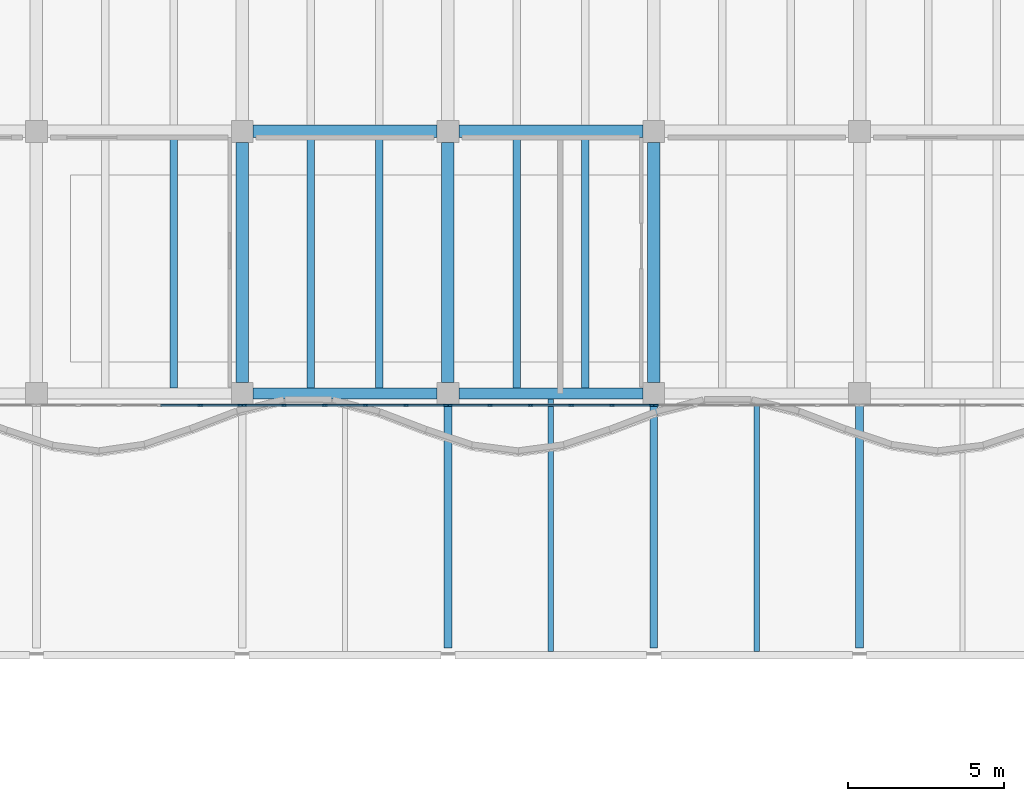
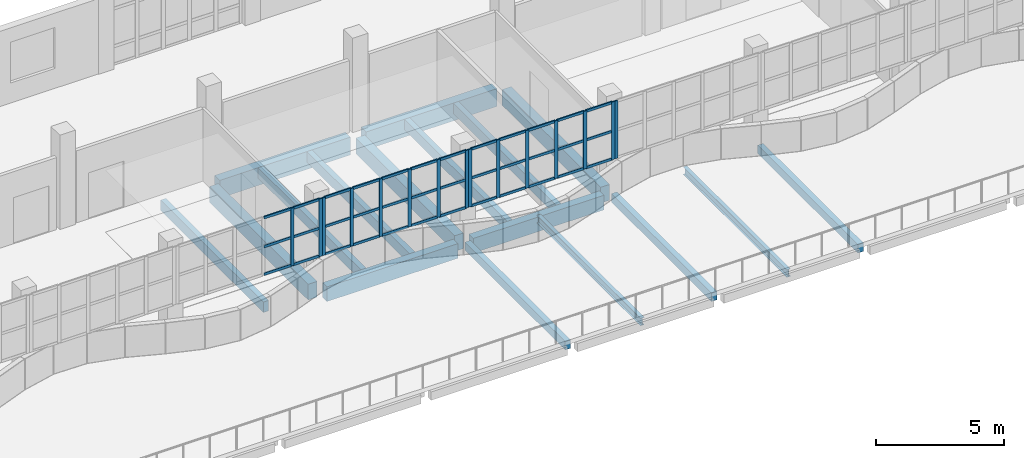
# One storey, part 13 of 83: 51 members, 17 beams, 4 elements without a shape of their own.
"""IFC4 building model written with IfcOpenShell, lengths in metres."""

from ifc_helpers import new_model, si_unit, direction, frame, origin, origin_2d, place, context, subcontext, project, spatial, rectangle, i_section, extrude, material, material_profile, profile_set, type_object, element, aggregate, save


model = new_model("IFC4")

# Units and contexts
model_context = context("Model", 3, precision=1e-05, world=origin(), true_north=direction((0.0, 1.0)))
body_context = subcontext(model_context, "Body", "Model", "MODEL_VIEW")
ifc_project = project(units=[si_unit("LENGTHUNIT", "METRE"), si_unit("AREAUNIT", "SQUARE_METRE"), si_unit("VOLUMEUNIT", "CUBIC_METRE"), si_unit("PLANEANGLEUNIT", "RADIAN"), si_unit("MASSUNIT", "GRAM", prefix="KILO")], contexts=[model_context])

# Site, building, storey
site_placement = place(None, origin())
site = spatial("IfcSite", under=ifc_project, at=site_placement, CompositionType="ELEMENT")
building_placement = place(site_placement, origin())
building = spatial("IfcBuilding", under=site, at=building_placement, Name="Qaldarim Faculty of Natural and Applied Sciences", CompositionType="ELEMENT")
storey_placement = place(building_placement, frame((0.0, 0.0, 5.39990234375)))
storey = spatial("IfcBuildingStorey", under=building, at=storey_placement, Name="L01", CompositionType="ELEMENT", Elevation=5.39990234375)

# Beams
ifc_material_1 = material(Name="Concrete C40/50", Category="concrete")
ifc_material_profile_1 = material_profile(ifc_material_1, rectangle(XDim=0.25, YDim=0.39990234375, at=origin_2d()), Name="RC-LN250x400")
ifc_profile_set_1 = profile_set([ifc_material_profile_1], Name="Concrete C40/50")
beam_type_1 = type_object("IfcBeamType", Name="ArcadeLintel-RC250x400", PredefinedType="LINTEL", material=ifc_profile_set_1)
for number, where, z_axis, x_axis, name in (
    (1, (72.60009765625, 92.625, -0.39990234375), (0.0, 1.0, 0.0), (-1.0, 0.0, 0.0), "Beam RC-LN250x400 L00 X12/Y12-Y13"),
    (2, (79.199951171875, 92.625, -0.39990234375), (0.0, 1.0, 0.0), (-1.0, 0.0, 0.0), "Beam RC-LN250x400 L00 X13/Y12-Y13"),
    (3, (85.800048828125, 92.625, -0.39990234375), (0.0, 1.0, 0.0), (-1.0, 0.0, 0.0), "Beam RC-LN250x400 L00 X14/Y12-Y13"),
):
    element("IfcBeam", number, at=place(storey_placement, frame(where, z_axis=z_axis, x_axis=x_axis)), inside=storey, type_object=beam_type_1, Name=name, PredefinedType="LINTEL", context=body_context, shape_type="SweptSolid", body=[
        extrude(rectangle(XDim=0.25, YDim=0.39990234375, at=origin_2d()), origin(), (0.0, 0.0, 1.0), 7.824951171875),
    ])
ifc_material_2 = material(Name="Structural steel S355", Category="steel")
ifc_material_profile_2 = material_profile(ifc_material_2, i_section(OverallWidth=0.169921875, OverallDepth=0.360107421875, WebThickness=0.008056640625, FlangeThickness=0.0126953125, at=origin_2d()), Name="IPE 360")
ifc_profile_set_2 = profile_set([ifc_material_profile_2], Name="Structural steel S355")
beam_type_2 = type_object("IfcBeamType", Name="CanopyBeam-IPE360", PredefinedType="BEAM", material=ifc_profile_set_2)
for number, where, z_axis, x_axis, name in (
    (4, (75.89990234375, 92.52490234375, -0.3798828125), (0.0, 1.0, 0.0), (-1.0, 0.0, 0.0), "Canopy steel beam IPE 360 bay X12"),
    (5, (82.5, 92.52490234375, -0.3798828125), (0.0, 1.0, 0.0), (-1.0, 0.0, 0.0), "Canopy steel beam IPE 360 bay X13"),
):
    element("IfcBeam", number, at=place(storey_placement, frame(where, z_axis=z_axis, x_axis=x_axis)), inside=storey, type_object=beam_type_2, Name=name, PredefinedType="BEAM", context=body_context, shape_type="SweptSolid", body=[
        extrude(i_section(OverallWidth=0.169921875, OverallDepth=0.360107421875, WebThickness=0.008056640625, FlangeThickness=0.0126953125, at=origin_2d()), origin(), (0.0, 0.0, 1.0), 8.10009765625),
    ])
ifc_material_profile_3 = material_profile(ifc_material_1, rectangle(XDim=0.239990234375, YDim=0.5, at=origin_2d()), Name="RC-J240x500")
ifc_profile_set_3 = profile_set([ifc_material_profile_3], Name="Concrete C40/50")
beam_type_3 = type_object("IfcBeamType", Name="HeavyJoist-RC240x500", PredefinedType="JOIST", material=ifc_profile_set_3)
for number, where, z_axis, x_axis, name in (
    (6, (63.800048828125, 100.97509765625, -0.5498046875), (0.0, 1.0, 0.0), (-1.0, 0.0, 0.0), "Laboratory joist L00 bay X10Y13-2"),
    (7, (68.199951171875, 100.97509765625, -0.5498046875), (0.0, 1.0, 0.0), (-1.0, 0.0, 0.0), "Laboratory joist L00 bay X11Y13-1"),
    (8, (70.39990234375, 100.97509765625, -0.5498046875), (0.0, 1.0, 0.0), (-1.0, 0.0, 0.0), "Laboratory joist L00 bay X11Y13-2"),
    (9, (74.800048828125, 100.97509765625, -0.5498046875), (0.0, 1.0, 0.0), (-1.0, 0.0, 0.0), "Laboratory joist L00 bay X12Y13-1"),
    (10, (77.0, 100.97509765625, -0.5498046875), (0.0, 1.0, 0.0), (-1.0, 0.0, 0.0), "Laboratory joist L00 bay X12Y13-2"),
):
    element("IfcBeam", number, at=place(storey_placement, frame(where, z_axis=z_axis, x_axis=x_axis)), inside=storey, type_object=beam_type_3, Name=name, PredefinedType="JOIST", context=body_context, shape_type="SweptSolid", body=[
        extrude(rectangle(XDim=0.239990234375, YDim=0.5, at=origin_2d()), origin(), (0.0, 0.0, 1.0), 8.02490234375),
    ])
ifc_material_3 = material(Name="Concrete C50/60", Category="concrete")
ifc_material_profile_4 = material_profile(ifc_material_3, rectangle(XDim=0.39990234375, YDim=0.75, at=origin_2d()), Name="RC-B400x750")
ifc_profile_set_4 = profile_set([ifc_material_profile_4], Name="Concrete C50/60")
beam_type_4 = type_object("IfcBeamType", Name="LabGirder-RC400x750", PredefinedType="BEAM", material=ifc_profile_set_4)
for number, where, z_axis, x_axis, name in (
    (11, (66.0, 101.14990234375, -0.6748046875), (0.0, 1.0, 0.0), (-1.0, 0.0, 0.0), "Beam RC-B400x750 L00 X11/Y13-Y14"),
    (12, (72.60009765625, 101.14990234375, -0.6748046875), (0.0, 1.0, 0.0), (-1.0, 0.0, 0.0), "Beam RC-B400x750 L00 X12/Y13-Y14"),
    (13, (79.199951171875, 101.14990234375, -0.6748046875), (0.0, 1.0, 0.0), (-1.0, 0.0, 0.0), "Beam RC-B400x750 L00 X13/Y13-Y14"),
):
    element("IfcBeam", number, at=place(storey_placement, frame(where, z_axis=z_axis, x_axis=x_axis)), inside=storey, type_object=beam_type_4, Name=name, PredefinedType="BEAM", context=body_context, shape_type="SweptSolid", body=[
        extrude(rectangle(XDim=0.39990234375, YDim=0.75, at=origin_2d()), origin(), (0.0, 0.0, 1.0), 7.7001953125),
    ])

# Curtain wall, members
ifc_material_4 = material(Name="Anodised aluminium AW-6063", Category="aluminium")
curtain_wall_type = type_object("IfcCurtainWallType", Name="CurtainWallSystem-M1400", PredefinedType="USERDEFINED", material=ifc_material_4)
curtain_wall_1_placement = place(storey_placement, origin())
curtain_wall_1 = element("IfcCurtainWall", 14, at=curtain_wall_1_placement, inside=storey, type_object=curtain_wall_type, Name="Curtain wall CW-V4RIB-L01-X10", ObjectType="STICK CURTAIN WALL", PredefinedType="USERDEFINED")
ifc_material_profile_5 = material_profile(ifc_material_4, rectangle(XDim=0.06005859375, YDim=0.14990234375, at=origin_2d()), Name="ALU-M60x150")
ifc_profile_set_5 = profile_set([ifc_material_profile_5], Name="Anodised aluminium AW-6063")
member_type_1 = type_object("IfcMemberType", Name="Mullion-ALU60x150", PredefinedType="MULLION", material=ifc_profile_set_5)
member_1_placement = place(storey_placement, frame((64.656005859375, 100.419921875, 1.4501953125), z_axis=(0.0, 0.0, 1.0), x_axis=(0.0, 1.0, 0.0)))
member_1 = element("IfcMember", 15, at=member_1_placement, type_object=member_type_1, Name="Mullion 5 of CW-V4RIB-L01-X10", PredefinedType="MULLION", context=body_context, shape_type="SweptSolid", body=[
    extrude(rectangle(XDim=0.06005859375, YDim=0.14990234375, at=origin_2d()), origin(), (0.0, 0.0, 1.0), 2.75),
])
member_2_placement = place(storey_placement, frame((65.929931640625, 100.419921875, 1.4501953125), z_axis=(0.0, 0.0, 1.0), x_axis=(0.0, 1.0, 0.0)))
member_2 = element("IfcMember", 16, at=member_2_placement, type_object=member_type_1, Name="Mullion 6 of CW-V4RIB-L01-X10", PredefinedType="MULLION", context=body_context, shape_type="SweptSolid", body=[
    extrude(rectangle(XDim=0.06005859375, YDim=0.14990234375, at=origin_2d()), origin(), (0.0, 0.0, 1.0), 2.75),
])

curtain_wall_2_placement = place(storey_placement, origin())
curtain_wall_2 = element("IfcCurtainWall", 17, at=curtain_wall_2_placement, inside=storey, type_object=curtain_wall_type, Name="Curtain wall CW-V4RIB-L01-X11", ObjectType="STICK CURTAIN WALL", PredefinedType="USERDEFINED")
member_3_placement = place(storey_placement, frame((66.070068359375, 100.419921875, 1.4501953125), z_axis=(0.0, 0.0, 1.0), x_axis=(0.0, 1.0, 0.0)))
member_3 = element("IfcMember", 18, at=member_3_placement, type_object=member_type_1, Name="Mullion 1 of CW-V4RIB-L01-X11", PredefinedType="MULLION", context=body_context, shape_type="SweptSolid", body=[
    extrude(rectangle(XDim=0.06005859375, YDim=0.14990234375, at=origin_2d()), origin(), (0.0, 0.0, 1.0), 2.75),
])
member_4_placement = place(storey_placement, frame((67.343994140625, 100.419921875, 1.4501953125), z_axis=(0.0, 0.0, 1.0), x_axis=(0.0, 1.0, 0.0)))
member_4 = element("IfcMember", 19, at=member_4_placement, type_object=member_type_1, Name="Mullion 2 of CW-V4RIB-L01-X11", PredefinedType="MULLION", context=body_context, shape_type="SweptSolid", body=[
    extrude(rectangle(XDim=0.06005859375, YDim=0.14990234375, at=origin_2d()), origin(), (0.0, 0.0, 1.0), 2.75),
])
member_5_placement = place(storey_placement, frame((68.64794921875, 100.419921875, 1.4501953125), z_axis=(0.0, 0.0, 1.0), x_axis=(0.0, 1.0, 0.0)))
member_5 = element("IfcMember", 20, at=member_5_placement, type_object=member_type_1, Name="Mullion 3 of CW-V4RIB-L01-X11", PredefinedType="MULLION", context=body_context, shape_type="SweptSolid", body=[
    extrude(rectangle(XDim=0.06005859375, YDim=0.14990234375, at=origin_2d()), origin(), (0.0, 0.0, 1.0), 2.75),
])
member_6_placement = place(storey_placement, frame((69.951904296875, 100.419921875, 1.4501953125), z_axis=(0.0, 0.0, 1.0), x_axis=(0.0, 1.0, 0.0)))
member_6 = element("IfcMember", 21, at=member_6_placement, type_object=member_type_1, Name="Mullion 4 of CW-V4RIB-L01-X11", PredefinedType="MULLION", context=body_context, shape_type="SweptSolid", body=[
    extrude(rectangle(XDim=0.06005859375, YDim=0.14990234375, at=origin_2d()), origin(), (0.0, 0.0, 1.0), 2.75),
])
member_7_placement = place(storey_placement, frame((71.256103515625, 100.419921875, 1.4501953125), z_axis=(0.0, 0.0, 1.0), x_axis=(0.0, 1.0, 0.0)))
member_7 = element("IfcMember", 22, at=member_7_placement, type_object=member_type_1, Name="Mullion 5 of CW-V4RIB-L01-X11", PredefinedType="MULLION", context=body_context, shape_type="SweptSolid", body=[
    extrude(rectangle(XDim=0.06005859375, YDim=0.14990234375, at=origin_2d()), origin(), (0.0, 0.0, 1.0), 2.75),
])
member_8_placement = place(storey_placement, frame((72.530029296875, 100.419921875, 1.4501953125), z_axis=(0.0, 0.0, 1.0), x_axis=(0.0, 1.0, 0.0)))
member_8 = element("IfcMember", 23, at=member_8_placement, type_object=member_type_1, Name="Mullion 6 of CW-V4RIB-L01-X11", PredefinedType="MULLION", context=body_context, shape_type="SweptSolid", body=[
    extrude(rectangle(XDim=0.06005859375, YDim=0.14990234375, at=origin_2d()), origin(), (0.0, 0.0, 1.0), 2.75),
])

curtain_wall_3_placement = place(storey_placement, origin())
curtain_wall_3 = element("IfcCurtainWall", 24, at=curtain_wall_3_placement, inside=storey, type_object=curtain_wall_type, Name="Curtain wall CW-V4RIB-L01-X12", ObjectType="STICK CURTAIN WALL", PredefinedType="USERDEFINED")
member_9_placement = place(storey_placement, frame((72.669921875, 100.419921875, 1.4501953125), z_axis=(0.0, 0.0, 1.0), x_axis=(0.0, 1.0, 0.0)))
member_9 = element("IfcMember", 25, at=member_9_placement, type_object=member_type_1, Name="Mullion 1 of CW-V4RIB-L01-X12", PredefinedType="MULLION", context=body_context, shape_type="SweptSolid", body=[
    extrude(rectangle(XDim=0.06005859375, YDim=0.14990234375, at=origin_2d()), origin(), (0.0, 0.0, 1.0), 2.75),
])
member_10_placement = place(storey_placement, frame((73.944091796875, 100.419921875, 1.4501953125), z_axis=(0.0, 0.0, 1.0), x_axis=(0.0, 1.0, 0.0)))
member_10 = element("IfcMember", 26, at=member_10_placement, type_object=member_type_1, Name="Mullion 2 of CW-V4RIB-L01-X12", PredefinedType="MULLION", context=body_context, shape_type="SweptSolid", body=[
    extrude(rectangle(XDim=0.06005859375, YDim=0.14990234375, at=origin_2d()), origin(), (0.0, 0.0, 1.0), 2.75),
])
member_11_placement = place(storey_placement, frame((75.248046875, 100.419921875, 1.4501953125), z_axis=(0.0, 0.0, 1.0), x_axis=(0.0, 1.0, 0.0)))
member_11 = element("IfcMember", 27, at=member_11_placement, type_object=member_type_1, Name="Mullion 3 of CW-V4RIB-L01-X12", PredefinedType="MULLION", context=body_context, shape_type="SweptSolid", body=[
    extrude(rectangle(XDim=0.06005859375, YDim=0.14990234375, at=origin_2d()), origin(), (0.0, 0.0, 1.0), 2.75),
])
member_12_placement = place(storey_placement, frame((76.552001953125, 100.419921875, 1.4501953125), z_axis=(0.0, 0.0, 1.0), x_axis=(0.0, 1.0, 0.0)))
member_12 = element("IfcMember", 28, at=member_12_placement, type_object=member_type_1, Name="Mullion 4 of CW-V4RIB-L01-X12", PredefinedType="MULLION", context=body_context, shape_type="SweptSolid", body=[
    extrude(rectangle(XDim=0.06005859375, YDim=0.14990234375, at=origin_2d()), origin(), (0.0, 0.0, 1.0), 2.75),
])
member_13_placement = place(storey_placement, frame((77.85595703125, 100.419921875, 1.4501953125), z_axis=(0.0, 0.0, 1.0), x_axis=(0.0, 1.0, 0.0)))
member_13 = element("IfcMember", 29, at=member_13_placement, type_object=member_type_1, Name="Mullion 5 of CW-V4RIB-L01-X12", PredefinedType="MULLION", context=body_context, shape_type="SweptSolid", body=[
    extrude(rectangle(XDim=0.06005859375, YDim=0.14990234375, at=origin_2d()), origin(), (0.0, 0.0, 1.0), 2.75),
])
member_14_placement = place(storey_placement, frame((79.1298828125, 100.419921875, 1.4501953125), z_axis=(0.0, 0.0, 1.0), x_axis=(0.0, 1.0, 0.0)))
member_14 = element("IfcMember", 30, at=member_14_placement, type_object=member_type_1, Name="Mullion 6 of CW-V4RIB-L01-X12", PredefinedType="MULLION", context=body_context, shape_type="SweptSolid", body=[
    extrude(rectangle(XDim=0.06005859375, YDim=0.14990234375, at=origin_2d()), origin(), (0.0, 0.0, 1.0), 2.75),
])

# Curtain wall, member
curtain_wall_4_placement = place(storey_placement, origin())
curtain_wall_4 = element("IfcCurtainWall", 31, at=curtain_wall_4_placement, inside=storey, type_object=curtain_wall_type, Name="Curtain wall CW-V4RIB-L01-X13", ObjectType="STICK CURTAIN WALL", PredefinedType="USERDEFINED")
member_15_placement = place(storey_placement, frame((79.27001953125, 100.419921875, 1.4501953125), z_axis=(0.0, 0.0, 1.0), x_axis=(0.0, 1.0, 0.0)))
member_15 = element("IfcMember", 32, at=member_15_placement, type_object=member_type_1, Name="Mullion 1 of CW-V4RIB-L01-X13", PredefinedType="MULLION", context=body_context, shape_type="SweptSolid", body=[
    extrude(rectangle(XDim=0.06005859375, YDim=0.14990234375, at=origin_2d()), origin(), (0.0, 0.0, 1.0), 2.75),
])
aggregate(curtain_wall_4, [member_15])

# Beams
ifc_material_profile_6 = material_profile(ifc_material_3, rectangle(XDim=0.39990234375, YDim=0.85009765625, at=origin_2d()), Name="RC-B400x850")
ifc_profile_set_6 = profile_set([ifc_material_profile_6], Name="Concrete C50/60")
beam_type_5 = type_object("IfcBeamType", Name="PodiumGirder-RC400x850", PredefinedType="BEAM", material=ifc_profile_set_6)
beam_1_placement = place(storey_placement, frame((66.35009765625, 109.199951171875, -0.724853515625), z_axis=(1.0, 0.0, 0.0), x_axis=(0.0, 1.0, 0.0)))
element("IfcBeam", 33, at=beam_1_placement, inside=storey, type_object=beam_type_5, Name="Beam RC-B400x850 L00 X11-X12/Y14", PredefinedType="BEAM", context=body_context, shape_type="SweptSolid", body=[
    extrude(rectangle(XDim=0.39990234375, YDim=0.85009765625, at=origin_2d()), origin(), (0.0, 0.0, 1.0), 5.89990234375),
])
beam_2_placement = place(storey_placement, frame((72.949951171875, 109.199951171875, -0.724853515625), z_axis=(1.0, 0.0, 0.0), x_axis=(0.0, 1.0, 0.0)))
element("IfcBeam", 34, at=beam_2_placement, inside=storey, type_object=beam_type_5, Name="Beam RC-B400x850 L00 X12-X13/Y14", PredefinedType="BEAM", context=body_context, shape_type="SweptSolid", body=[
    extrude(rectangle(XDim=0.39990234375, YDim=0.85009765625, at=origin_2d()), origin(), (0.0, 0.0, 1.0), 5.900146484375),
])
ifc_material_profile_7 = material_profile(ifc_material_1, rectangle(XDim=0.35009765625, YDim=0.699951171875, at=origin_2d()), Name="RC-B350x700")
ifc_profile_set_7 = profile_set([ifc_material_profile_7], Name="Concrete C40/50")
beam_type_6 = type_object("IfcBeamType", Name="PrimaryGirder-RC350x700", PredefinedType="BEAM", material=ifc_profile_set_7)
beam_3_placement = place(storey_placement, frame((66.35009765625, 100.800048828125, -0.64990234375), z_axis=(1.0, 0.0, 0.0), x_axis=(0.0, 1.0, 0.0)))
element("IfcBeam", 35, at=beam_3_placement, inside=storey, type_object=beam_type_6, Name="Beam RC-B350x700 L00 X11-X12/Y13", PredefinedType="BEAM", context=body_context, shape_type="SweptSolid", body=[
    extrude(rectangle(XDim=0.35009765625, YDim=0.699951171875, at=origin_2d()), origin(), (0.0, 0.0, 1.0), 5.89990234375),
])
beam_4_placement = place(storey_placement, frame((72.949951171875, 100.800048828125, -0.64990234375), z_axis=(1.0, 0.0, 0.0), x_axis=(0.0, 1.0, 0.0)))
element("IfcBeam", 36, at=beam_4_placement, inside=storey, type_object=beam_type_6, Name="Beam RC-B350x700 L00 X12-X13/Y13", PredefinedType="BEAM", context=body_context, shape_type="SweptSolid", body=[
    extrude(rectangle(XDim=0.35009765625, YDim=0.699951171875, at=origin_2d()), origin(), (0.0, 0.0, 1.0), 5.900146484375),
])

# Member
ifc_material_profile_8 = material_profile(ifc_material_4, rectangle(XDim=0.06005859375, YDim=0.1201171875, at=origin_2d()), Name="ALU-T60x120")
ifc_profile_set_8 = profile_set([ifc_material_profile_8], Name="Anodised aluminium AW-6063")
member_type_2 = type_object("IfcMemberType", Name="Transom-ALU60x120", PredefinedType="USERDEFINED", material=ifc_profile_set_8)
member_16_placement = place(storey_placement, frame((63.382080078125, 100.419921875, 1.47998046875), z_axis=(1.0, 0.0, 0.0), x_axis=(0.0, 1.0, 0.0)))
member_16 = element("IfcMember", 37, at=member_16_placement, type_object=member_type_2, Name="Transom 4-1 of CW-V4RIB-L01-X10", ObjectType="TRANSOM", PredefinedType="USERDEFINED", context=body_context, shape_type="SweptSolid", body=[
    extrude(rectangle(XDim=0.06005859375, YDim=0.1201171875, at=origin_2d()), origin(), (0.0, 0.0, 1.0), 1.243896484375),
])

member_17_placement = place(storey_placement, frame((63.382080078125, 100.419921875, 2.800048828125), z_axis=(1.0, 0.0, 0.0), x_axis=(0.0, 1.0, 0.0)))
member_17 = element("IfcMember", 38, at=member_17_placement, type_object=member_type_2, Name="Transom 4-2 of CW-V4RIB-L01-X10", ObjectType="TRANSOM", PredefinedType="USERDEFINED", context=body_context, shape_type="SweptSolid", body=[
    extrude(rectangle(XDim=0.06005859375, YDim=0.1201171875, at=origin_2d()), origin(), (0.0, 0.0, 1.0), 1.243896484375),
])

member_18_placement = place(storey_placement, frame((63.382080078125, 100.419921875, 4.170166015625), z_axis=(1.0, 0.0, 0.0), x_axis=(0.0, 1.0, 0.0)))
member_18 = element("IfcMember", 39, at=member_18_placement, type_object=member_type_2, Name="Transom 4-3 of CW-V4RIB-L01-X10", ObjectType="TRANSOM", PredefinedType="USERDEFINED", context=body_context, shape_type="SweptSolid", body=[
    extrude(rectangle(XDim=0.06005859375, YDim=0.1201171875, at=origin_2d()), origin(), (0.0, 0.0, 1.0), 1.243896484375),
])

member_19_placement = place(storey_placement, frame((64.68603515625, 100.419921875, 1.47998046875), z_axis=(1.0, 0.0, 0.0), x_axis=(0.0, 1.0, 0.0)))
member_19 = element("IfcMember", 40, at=member_19_placement, type_object=member_type_2, Name="Transom 5-1 of CW-V4RIB-L01-X10", ObjectType="TRANSOM", PredefinedType="USERDEFINED", context=body_context, shape_type="SweptSolid", body=[
    extrude(rectangle(XDim=0.06005859375, YDim=0.1201171875, at=origin_2d()), origin(), (0.0, 0.0, 1.0), 1.2138671875),
])

member_20_placement = place(storey_placement, frame((64.68603515625, 100.419921875, 2.800048828125), z_axis=(1.0, 0.0, 0.0), x_axis=(0.0, 1.0, 0.0)))
member_20 = element("IfcMember", 41, at=member_20_placement, type_object=member_type_2, Name="Transom 5-2 of CW-V4RIB-L01-X10", ObjectType="TRANSOM", PredefinedType="USERDEFINED", context=body_context, shape_type="SweptSolid", body=[
    extrude(rectangle(XDim=0.06005859375, YDim=0.1201171875, at=origin_2d()), origin(), (0.0, 0.0, 1.0), 1.2138671875),
])

member_21_placement = place(storey_placement, frame((64.68603515625, 100.419921875, 4.170166015625), z_axis=(1.0, 0.0, 0.0), x_axis=(0.0, 1.0, 0.0)))
member_21 = element("IfcMember", 42, at=member_21_placement, type_object=member_type_2, Name="Transom 5-3 of CW-V4RIB-L01-X10", ObjectType="TRANSOM", PredefinedType="USERDEFINED", context=body_context, shape_type="SweptSolid", body=[
    extrude(rectangle(XDim=0.06005859375, YDim=0.1201171875, at=origin_2d()), origin(), (0.0, 0.0, 1.0), 1.2138671875),
])

aggregate(curtain_wall_1, [member_1, member_2, member_16, member_17, member_18, member_19, member_20, member_21])

member_22_placement = place(storey_placement, frame((66.10009765625, 100.419921875, 1.47998046875), z_axis=(1.0, 0.0, 0.0), x_axis=(0.0, 1.0, 0.0)))
member_22 = element("IfcMember", 43, at=member_22_placement, type_object=member_type_2, Name="Transom 1-1 of CW-V4RIB-L01-X11", ObjectType="TRANSOM", PredefinedType="USERDEFINED", context=body_context, shape_type="SweptSolid", body=[
    extrude(rectangle(XDim=0.06005859375, YDim=0.1201171875, at=origin_2d()), origin(), (0.0, 0.0, 1.0), 1.2138671875),
])

member_23_placement = place(storey_placement, frame((66.10009765625, 100.419921875, 2.800048828125), z_axis=(1.0, 0.0, 0.0), x_axis=(0.0, 1.0, 0.0)))
member_23 = element("IfcMember", 44, at=member_23_placement, type_object=member_type_2, Name="Transom 1-2 of CW-V4RIB-L01-X11", ObjectType="TRANSOM", PredefinedType="USERDEFINED", context=body_context, shape_type="SweptSolid", body=[
    extrude(rectangle(XDim=0.06005859375, YDim=0.1201171875, at=origin_2d()), origin(), (0.0, 0.0, 1.0), 1.2138671875),
])

member_24_placement = place(storey_placement, frame((66.10009765625, 100.419921875, 4.170166015625), z_axis=(1.0, 0.0, 0.0), x_axis=(0.0, 1.0, 0.0)))
member_24 = element("IfcMember", 45, at=member_24_placement, type_object=member_type_2, Name="Transom 1-3 of CW-V4RIB-L01-X11", ObjectType="TRANSOM", PredefinedType="USERDEFINED", context=body_context, shape_type="SweptSolid", body=[
    extrude(rectangle(XDim=0.06005859375, YDim=0.1201171875, at=origin_2d()), origin(), (0.0, 0.0, 1.0), 1.2138671875),
])

member_25_placement = place(storey_placement, frame((67.3740234375, 100.419921875, 1.47998046875), z_axis=(1.0, 0.0, 0.0), x_axis=(0.0, 1.0, 0.0)))
member_25 = element("IfcMember", 46, at=member_25_placement, type_object=member_type_2, Name="Transom 2-1 of CW-V4RIB-L01-X11", ObjectType="TRANSOM", PredefinedType="USERDEFINED", context=body_context, shape_type="SweptSolid", body=[
    extrude(rectangle(XDim=0.06005859375, YDim=0.1201171875, at=origin_2d()), origin(), (0.0, 0.0, 1.0), 1.243896484375),
])

member_26_placement = place(storey_placement, frame((67.3740234375, 100.419921875, 2.800048828125), z_axis=(1.0, 0.0, 0.0), x_axis=(0.0, 1.0, 0.0)))
member_26 = element("IfcMember", 47, at=member_26_placement, type_object=member_type_2, Name="Transom 2-2 of CW-V4RIB-L01-X11", ObjectType="TRANSOM", PredefinedType="USERDEFINED", context=body_context, shape_type="SweptSolid", body=[
    extrude(rectangle(XDim=0.06005859375, YDim=0.1201171875, at=origin_2d()), origin(), (0.0, 0.0, 1.0), 1.243896484375),
])

member_27_placement = place(storey_placement, frame((67.3740234375, 100.419921875, 4.170166015625), z_axis=(1.0, 0.0, 0.0), x_axis=(0.0, 1.0, 0.0)))
member_27 = element("IfcMember", 48, at=member_27_placement, type_object=member_type_2, Name="Transom 2-3 of CW-V4RIB-L01-X11", ObjectType="TRANSOM", PredefinedType="USERDEFINED", context=body_context, shape_type="SweptSolid", body=[
    extrude(rectangle(XDim=0.06005859375, YDim=0.1201171875, at=origin_2d()), origin(), (0.0, 0.0, 1.0), 1.243896484375),
])

member_28_placement = place(storey_placement, frame((68.677978515625, 100.419921875, 1.47998046875), z_axis=(1.0, 0.0, 0.0), x_axis=(0.0, 1.0, 0.0)))
member_28 = element("IfcMember", 49, at=member_28_placement, type_object=member_type_2, Name="Transom 3-1 of CW-V4RIB-L01-X11", ObjectType="TRANSOM", PredefinedType="USERDEFINED", context=body_context, shape_type="SweptSolid", body=[
    extrude(rectangle(XDim=0.06005859375, YDim=0.1201171875, at=origin_2d()), origin(), (0.0, 0.0, 1.0), 1.244140625),
])

member_29_placement = place(storey_placement, frame((68.677978515625, 100.419921875, 2.800048828125), z_axis=(1.0, 0.0, 0.0), x_axis=(0.0, 1.0, 0.0)))
member_29 = element("IfcMember", 50, at=member_29_placement, type_object=member_type_2, Name="Transom 3-2 of CW-V4RIB-L01-X11", ObjectType="TRANSOM", PredefinedType="USERDEFINED", context=body_context, shape_type="SweptSolid", body=[
    extrude(rectangle(XDim=0.06005859375, YDim=0.1201171875, at=origin_2d()), origin(), (0.0, 0.0, 1.0), 1.244140625),
])

member_30_placement = place(storey_placement, frame((68.677978515625, 100.419921875, 4.170166015625), z_axis=(1.0, 0.0, 0.0), x_axis=(0.0, 1.0, 0.0)))
member_30 = element("IfcMember", 51, at=member_30_placement, type_object=member_type_2, Name="Transom 3-3 of CW-V4RIB-L01-X11", ObjectType="TRANSOM", PredefinedType="USERDEFINED", context=body_context, shape_type="SweptSolid", body=[
    extrude(rectangle(XDim=0.06005859375, YDim=0.1201171875, at=origin_2d()), origin(), (0.0, 0.0, 1.0), 1.244140625),
])

member_31_placement = place(storey_placement, frame((69.98193359375, 100.419921875, 1.47998046875), z_axis=(1.0, 0.0, 0.0), x_axis=(0.0, 1.0, 0.0)))
member_31 = element("IfcMember", 52, at=member_31_placement, type_object=member_type_2, Name="Transom 4-1 of CW-V4RIB-L01-X11", ObjectType="TRANSOM", PredefinedType="USERDEFINED", context=body_context, shape_type="SweptSolid", body=[
    extrude(rectangle(XDim=0.06005859375, YDim=0.1201171875, at=origin_2d()), origin(), (0.0, 0.0, 1.0), 1.244140625),
])

member_32_placement = place(storey_placement, frame((69.98193359375, 100.419921875, 2.800048828125), z_axis=(1.0, 0.0, 0.0), x_axis=(0.0, 1.0, 0.0)))
member_32 = element("IfcMember", 53, at=member_32_placement, type_object=member_type_2, Name="Transom 4-2 of CW-V4RIB-L01-X11", ObjectType="TRANSOM", PredefinedType="USERDEFINED", context=body_context, shape_type="SweptSolid", body=[
    extrude(rectangle(XDim=0.06005859375, YDim=0.1201171875, at=origin_2d()), origin(), (0.0, 0.0, 1.0), 1.244140625),
])

member_33_placement = place(storey_placement, frame((69.98193359375, 100.419921875, 4.170166015625), z_axis=(1.0, 0.0, 0.0), x_axis=(0.0, 1.0, 0.0)))
member_33 = element("IfcMember", 54, at=member_33_placement, type_object=member_type_2, Name="Transom 4-3 of CW-V4RIB-L01-X11", ObjectType="TRANSOM", PredefinedType="USERDEFINED", context=body_context, shape_type="SweptSolid", body=[
    extrude(rectangle(XDim=0.06005859375, YDim=0.1201171875, at=origin_2d()), origin(), (0.0, 0.0, 1.0), 1.244140625),
])

member_34_placement = place(storey_placement, frame((71.285888671875, 100.419921875, 1.47998046875), z_axis=(1.0, 0.0, 0.0), x_axis=(0.0, 1.0, 0.0)))
member_34 = element("IfcMember", 55, at=member_34_placement, type_object=member_type_2, Name="Transom 5-1 of CW-V4RIB-L01-X11", ObjectType="TRANSOM", PredefinedType="USERDEFINED", context=body_context, shape_type="SweptSolid", body=[
    extrude(rectangle(XDim=0.06005859375, YDim=0.1201171875, at=origin_2d()), origin(), (0.0, 0.0, 1.0), 1.214111328125),
])

member_35_placement = place(storey_placement, frame((71.285888671875, 100.419921875, 2.800048828125), z_axis=(1.0, 0.0, 0.0), x_axis=(0.0, 1.0, 0.0)))
member_35 = element("IfcMember", 56, at=member_35_placement, type_object=member_type_2, Name="Transom 5-2 of CW-V4RIB-L01-X11", ObjectType="TRANSOM", PredefinedType="USERDEFINED", context=body_context, shape_type="SweptSolid", body=[
    extrude(rectangle(XDim=0.06005859375, YDim=0.1201171875, at=origin_2d()), origin(), (0.0, 0.0, 1.0), 1.214111328125),
])

member_36_placement = place(storey_placement, frame((71.285888671875, 100.419921875, 4.170166015625), z_axis=(1.0, 0.0, 0.0), x_axis=(0.0, 1.0, 0.0)))
member_36 = element("IfcMember", 57, at=member_36_placement, type_object=member_type_2, Name="Transom 5-3 of CW-V4RIB-L01-X11", ObjectType="TRANSOM", PredefinedType="USERDEFINED", context=body_context, shape_type="SweptSolid", body=[
    extrude(rectangle(XDim=0.06005859375, YDim=0.1201171875, at=origin_2d()), origin(), (0.0, 0.0, 1.0), 1.214111328125),
])

aggregate(curtain_wall_2, [member_3, member_4, member_5, member_6, member_7, member_8, member_22, member_23, member_24, member_25, member_26, member_27, member_28, member_29, member_30, member_31, member_32, member_33, member_34, member_35, member_36])

member_37_placement = place(storey_placement, frame((72.699951171875, 100.419921875, 1.47998046875), z_axis=(1.0, 0.0, 0.0), x_axis=(0.0, 1.0, 0.0)))
member_37 = element("IfcMember", 58, at=member_37_placement, type_object=member_type_2, Name="Transom 1-1 of CW-V4RIB-L01-X12", ObjectType="TRANSOM", PredefinedType="USERDEFINED", context=body_context, shape_type="SweptSolid", body=[
    extrude(rectangle(XDim=0.06005859375, YDim=0.1201171875, at=origin_2d()), origin(), (0.0, 0.0, 1.0), 1.214111328125),
])

member_38_placement = place(storey_placement, frame((72.699951171875, 100.419921875, 2.800048828125), z_axis=(1.0, 0.0, 0.0), x_axis=(0.0, 1.0, 0.0)))
member_38 = element("IfcMember", 59, at=member_38_placement, type_object=member_type_2, Name="Transom 1-2 of CW-V4RIB-L01-X12", ObjectType="TRANSOM", PredefinedType="USERDEFINED", context=body_context, shape_type="SweptSolid", body=[
    extrude(rectangle(XDim=0.06005859375, YDim=0.1201171875, at=origin_2d()), origin(), (0.0, 0.0, 1.0), 1.214111328125),
])

member_39_placement = place(storey_placement, frame((72.699951171875, 100.419921875, 4.170166015625), z_axis=(1.0, 0.0, 0.0), x_axis=(0.0, 1.0, 0.0)))
member_39 = element("IfcMember", 60, at=member_39_placement, type_object=member_type_2, Name="Transom 1-3 of CW-V4RIB-L01-X12", ObjectType="TRANSOM", PredefinedType="USERDEFINED", context=body_context, shape_type="SweptSolid", body=[
    extrude(rectangle(XDim=0.06005859375, YDim=0.1201171875, at=origin_2d()), origin(), (0.0, 0.0, 1.0), 1.214111328125),
])

member_40_placement = place(storey_placement, frame((73.97412109375, 100.419921875, 1.47998046875), z_axis=(1.0, 0.0, 0.0), x_axis=(0.0, 1.0, 0.0)))
member_40 = element("IfcMember", 61, at=member_40_placement, type_object=member_type_2, Name="Transom 2-1 of CW-V4RIB-L01-X12", ObjectType="TRANSOM", PredefinedType="USERDEFINED", context=body_context, shape_type="SweptSolid", body=[
    extrude(rectangle(XDim=0.06005859375, YDim=0.1201171875, at=origin_2d()), origin(), (0.0, 0.0, 1.0), 1.243896484375),
])

member_41_placement = place(storey_placement, frame((73.97412109375, 100.419921875, 2.800048828125), z_axis=(1.0, 0.0, 0.0), x_axis=(0.0, 1.0, 0.0)))
member_41 = element("IfcMember", 62, at=member_41_placement, type_object=member_type_2, Name="Transom 2-2 of CW-V4RIB-L01-X12", ObjectType="TRANSOM", PredefinedType="USERDEFINED", context=body_context, shape_type="SweptSolid", body=[
    extrude(rectangle(XDim=0.06005859375, YDim=0.1201171875, at=origin_2d()), origin(), (0.0, 0.0, 1.0), 1.243896484375),
])

member_42_placement = place(storey_placement, frame((73.97412109375, 100.419921875, 4.170166015625), z_axis=(1.0, 0.0, 0.0), x_axis=(0.0, 1.0, 0.0)))
member_42 = element("IfcMember", 63, at=member_42_placement, type_object=member_type_2, Name="Transom 2-3 of CW-V4RIB-L01-X12", ObjectType="TRANSOM", PredefinedType="USERDEFINED", context=body_context, shape_type="SweptSolid", body=[
    extrude(rectangle(XDim=0.06005859375, YDim=0.1201171875, at=origin_2d()), origin(), (0.0, 0.0, 1.0), 1.243896484375),
])

member_43_placement = place(storey_placement, frame((75.278076171875, 100.419921875, 1.47998046875), z_axis=(1.0, 0.0, 0.0), x_axis=(0.0, 1.0, 0.0)))
member_43 = element("IfcMember", 64, at=member_43_placement, type_object=member_type_2, Name="Transom 3-1 of CW-V4RIB-L01-X12", ObjectType="TRANSOM", PredefinedType="USERDEFINED", context=body_context, shape_type="SweptSolid", body=[
    extrude(rectangle(XDim=0.06005859375, YDim=0.1201171875, at=origin_2d()), origin(), (0.0, 0.0, 1.0), 1.243896484375),
])

member_44_placement = place(storey_placement, frame((75.278076171875, 100.419921875, 2.800048828125), z_axis=(1.0, 0.0, 0.0), x_axis=(0.0, 1.0, 0.0)))
member_44 = element("IfcMember", 65, at=member_44_placement, type_object=member_type_2, Name="Transom 3-2 of CW-V4RIB-L01-X12", ObjectType="TRANSOM", PredefinedType="USERDEFINED", context=body_context, shape_type="SweptSolid", body=[
    extrude(rectangle(XDim=0.06005859375, YDim=0.1201171875, at=origin_2d()), origin(), (0.0, 0.0, 1.0), 1.243896484375),
])

member_45_placement = place(storey_placement, frame((75.278076171875, 100.419921875, 4.170166015625), z_axis=(1.0, 0.0, 0.0), x_axis=(0.0, 1.0, 0.0)))
member_45 = element("IfcMember", 66, at=member_45_placement, type_object=member_type_2, Name="Transom 3-3 of CW-V4RIB-L01-X12", ObjectType="TRANSOM", PredefinedType="USERDEFINED", context=body_context, shape_type="SweptSolid", body=[
    extrude(rectangle(XDim=0.06005859375, YDim=0.1201171875, at=origin_2d()), origin(), (0.0, 0.0, 1.0), 1.243896484375),
])

member_46_placement = place(storey_placement, frame((76.58203125, 100.419921875, 1.47998046875), z_axis=(1.0, 0.0, 0.0), x_axis=(0.0, 1.0, 0.0)))
member_46 = element("IfcMember", 67, at=member_46_placement, type_object=member_type_2, Name="Transom 4-1 of CW-V4RIB-L01-X12", ObjectType="TRANSOM", PredefinedType="USERDEFINED", context=body_context, shape_type="SweptSolid", body=[
    extrude(rectangle(XDim=0.06005859375, YDim=0.1201171875, at=origin_2d()), origin(), (0.0, 0.0, 1.0), 1.243896484375),
])

member_47_placement = place(storey_placement, frame((76.58203125, 100.419921875, 2.800048828125), z_axis=(1.0, 0.0, 0.0), x_axis=(0.0, 1.0, 0.0)))
member_47 = element("IfcMember", 68, at=member_47_placement, type_object=member_type_2, Name="Transom 4-2 of CW-V4RIB-L01-X12", ObjectType="TRANSOM", PredefinedType="USERDEFINED", context=body_context, shape_type="SweptSolid", body=[
    extrude(rectangle(XDim=0.06005859375, YDim=0.1201171875, at=origin_2d()), origin(), (0.0, 0.0, 1.0), 1.243896484375),
])

member_48_placement = place(storey_placement, frame((76.58203125, 100.419921875, 4.170166015625), z_axis=(1.0, 0.0, 0.0), x_axis=(0.0, 1.0, 0.0)))
member_48 = element("IfcMember", 69, at=member_48_placement, type_object=member_type_2, Name="Transom 4-3 of CW-V4RIB-L01-X12", ObjectType="TRANSOM", PredefinedType="USERDEFINED", context=body_context, shape_type="SweptSolid", body=[
    extrude(rectangle(XDim=0.06005859375, YDim=0.1201171875, at=origin_2d()), origin(), (0.0, 0.0, 1.0), 1.243896484375),
])

member_49_placement = place(storey_placement, frame((77.885986328125, 100.419921875, 1.47998046875), z_axis=(1.0, 0.0, 0.0), x_axis=(0.0, 1.0, 0.0)))
member_49 = element("IfcMember", 70, at=member_49_placement, type_object=member_type_2, Name="Transom 5-1 of CW-V4RIB-L01-X12", ObjectType="TRANSOM", PredefinedType="USERDEFINED", context=body_context, shape_type="SweptSolid", body=[
    extrude(rectangle(XDim=0.06005859375, YDim=0.1201171875, at=origin_2d()), origin(), (0.0, 0.0, 1.0), 1.214111328125),
])

member_50_placement = place(storey_placement, frame((77.885986328125, 100.419921875, 2.800048828125), z_axis=(1.0, 0.0, 0.0), x_axis=(0.0, 1.0, 0.0)))
member_50 = element("IfcMember", 71, at=member_50_placement, type_object=member_type_2, Name="Transom 5-2 of CW-V4RIB-L01-X12", ObjectType="TRANSOM", PredefinedType="USERDEFINED", context=body_context, shape_type="SweptSolid", body=[
    extrude(rectangle(XDim=0.06005859375, YDim=0.1201171875, at=origin_2d()), origin(), (0.0, 0.0, 1.0), 1.214111328125),
])

member_51_placement = place(storey_placement, frame((77.885986328125, 100.419921875, 4.170166015625), z_axis=(1.0, 0.0, 0.0), x_axis=(0.0, 1.0, 0.0)))
member_51 = element("IfcMember", 72, at=member_51_placement, type_object=member_type_2, Name="Transom 5-3 of CW-V4RIB-L01-X12", ObjectType="TRANSOM", PredefinedType="USERDEFINED", context=body_context, shape_type="SweptSolid", body=[
    extrude(rectangle(XDim=0.06005859375, YDim=0.1201171875, at=origin_2d()), origin(), (0.0, 0.0, 1.0), 1.214111328125),
])

aggregate(curtain_wall_3, [member_9, member_10, member_11, member_12, member_13, member_14, member_37, member_38, member_39, member_40, member_41, member_42, member_43, member_44, member_45, member_46, member_47, member_48, member_49, member_50, member_51])

save(model, "model.ifc")
